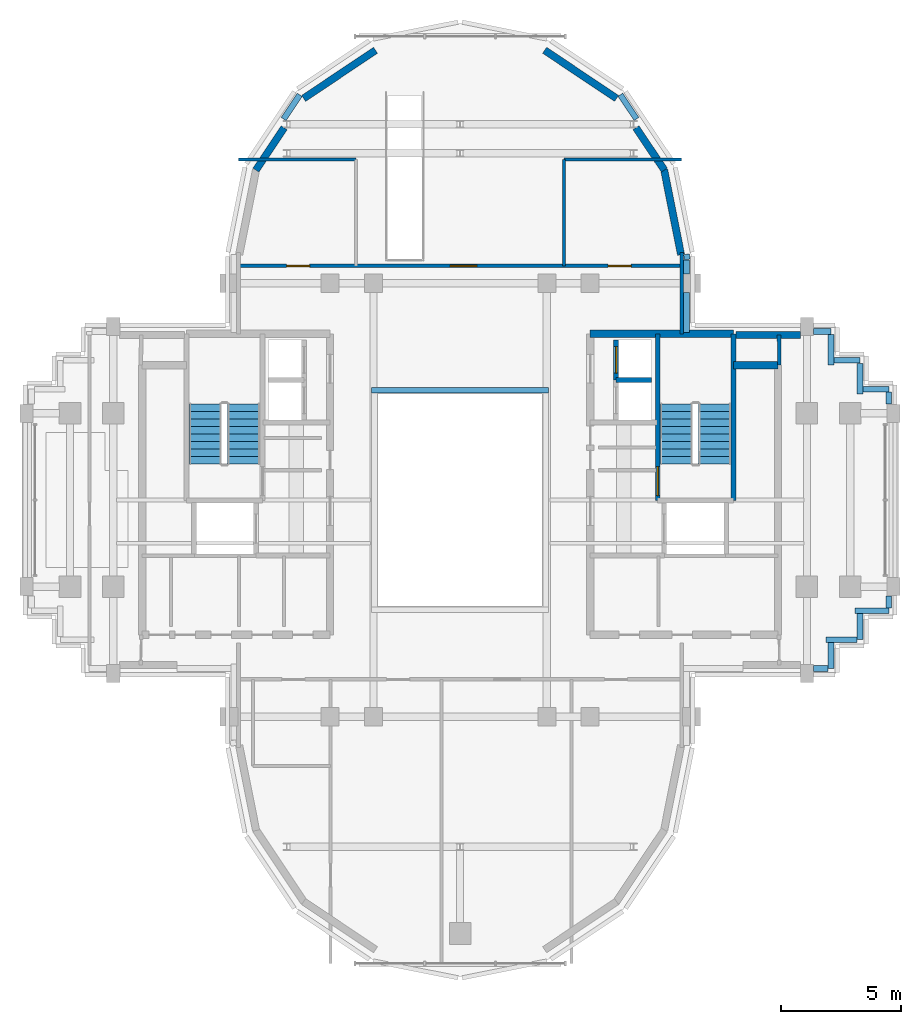
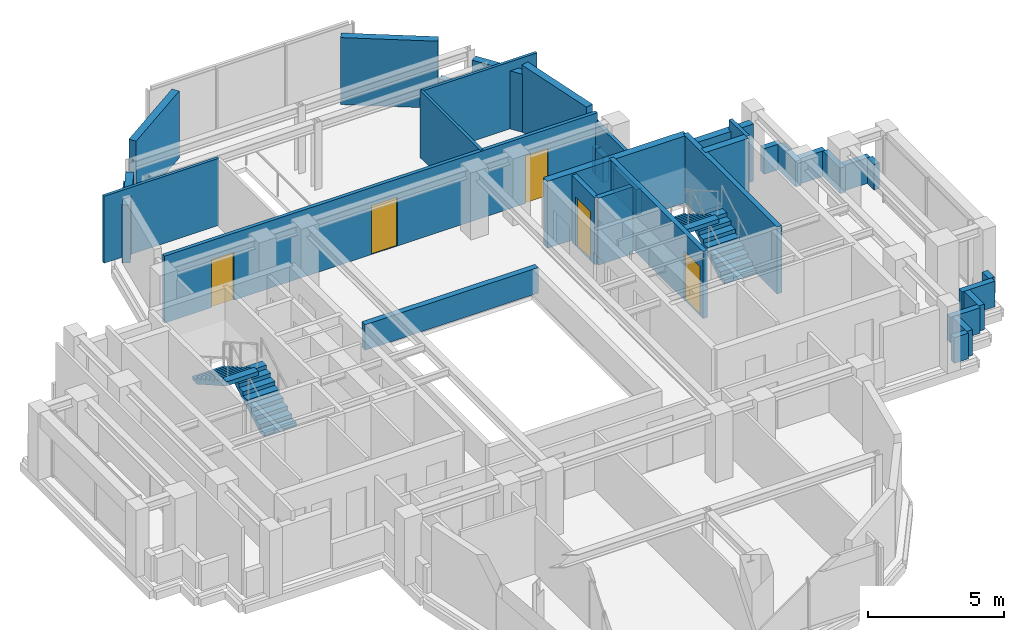
# One storey, part 10 of 12: 36 walls, 5 doors, 4 stair flights, 5 openings, 2 elements without a shape of their own.
"""IFC4 building model written with IfcOpenShell, lengths in metres."""

from ifc_helpers import new_model, si_unit, direction, frame, frame_2d, origin, place, context, subcontext, project, spatial, polyline, rectangle, outline, extrude, source, transform, mapped, material, layer, layer_set, type_object, element, fill, aggregate, save


model = new_model("IFC4")

# Units and contexts
model_context = context("Model", 3, precision=1e-05, world=origin(), true_north=direction((0.0, 1.0)))
body_context = subcontext(model_context, "Body", "Model", "MODEL_VIEW")
ifc_project = project(units=[si_unit("LENGTHUNIT", "METRE"), si_unit("AREAUNIT", "SQUARE_METRE"), si_unit("VOLUMEUNIT", "CUBIC_METRE"), si_unit("PLANEANGLEUNIT", "RADIAN"), si_unit("MASSUNIT", "GRAM", prefix="KILO")], contexts=[model_context])

# Site, building, storey
site_placement = place(None, origin())
site = spatial("IfcSite", under=ifc_project, at=site_placement, CompositionType="ELEMENT")
building_placement = place(site_placement, origin())
building = spatial("IfcBuilding", under=site, at=building_placement, Name="Keilestroom Media Tower", CompositionType="ELEMENT")
storey_placement = place(building_placement, frame((0.0, 0.0, 223.60009765625)))
storey = spatial("IfcBuildingStorey", under=building, at=storey_placement, Name="L61", CompositionType="ELEMENT", Elevation=223.60009765625)

# Walls
ifc_material_1 = material(Name="Precast concrete C40/50", Category="concrete")
ifc_layer_1 = layer(ifc_material_1, 0.300048828125)
ifc_layer_set_1 = layer_set([ifc_layer_1], Name="Precast concrete C40/50")
wall_type_1 = type_object("IfcWallType", Name="Exterior-Masonry-Spandrel-Wall-300", PredefinedType="SOLIDWALL", material=ifc_layer_set_1)
wall_1_placement = place(storey_placement, frame((11.447998046875, 6.85009765625, 0.0), z_axis=(0.0, 0.0, 1.0), x_axis=(1.0, 0.0, 0.0)))
element("IfcWall", 1, at=wall_1_placement, inside=storey, type_object=wall_type_1, Name="L61 Flank Masonry Wall EWL-L61-NE-1", PredefinedType="SOLIDWALL", context=body_context, shape_type="SweptSolid", body=[
    extrude(rectangle(XDim=2.68505859375, YDim=0.300048828125, at=frame_2d((1.342529296875, 0.0))), origin(), (0.0, 0.0, 1.0), 2.56982421875),
])
wall_2_placement = place(storey_placement, frame((9.1748046875, 10.185302734375, 0.0), z_axis=(0.0, 0.0, 1.0), x_axis=(-0.195114232679, 0.980780523974, 0.0)))
element("IfcWall", 2, at=wall_2_placement, inside=storey, type_object=wall_type_1, Name="L61 Lobe Facet Precast Frame Wall 01", PredefinedType="SOLIDWALL", context=body_context, shape_type="SweptSolid", body=[
    extrude(rectangle(XDim=3.608642578125, YDim=0.300048828125, at=frame_2d((1.80419921875, 0.0))), origin(), (0.0, 0.0, 1.0), 3.010009765625),
])
wall_3_placement = place(storey_placement, frame((8.48193359375, 13.697509765625, 0.0), z_axis=(0.0, 0.0, 1.0), x_axis=(-0.555604299396, 0.831446848868, 0.0)))
element("IfcWall", 3, at=wall_3_placement, inside=storey, type_object=wall_type_1, Name="L61 Lobe Facet Precast Frame Wall 02", PredefinedType="SOLIDWALL", context=body_context, shape_type="SweptSolid", body=[
    extrude(rectangle(XDim=2.117919921875, YDim=0.300048828125, at=frame_2d((1.05908203125, 0.0))), origin(), (0.0, 0.0, 1.0), 2.60986328125),
])
for number, where, z_axis, x_axis, name in (
    (4, (6.497802734375, 16.677001953125, 0.0), (0.0, 0.0, 1.0), (-0.831443568068, 0.555609208993, 0.0), "L61 Lobe Facet Precast Frame Wall 03"),
    (5, (-3.510009765625, 18.673583984375, 0.0), (0.0, 0.0, 1.0), (-0.831443568068, -0.555609208993, 0.0), "L61 Lobe Facet Precast Frame Wall 04"),
):
    element("IfcWall", number, at=place(storey_placement, frame(where, z_axis=z_axis, x_axis=x_axis)), inside=storey, type_object=wall_type_1, Name=name, PredefinedType="SOLIDWALL", context=body_context, shape_type="SweptSolid", body=[
        extrude(rectangle(XDim=3.593505859375, YDim=0.300048828125, at=frame_2d((1.796875, 0.0))), origin(), (0.0, 0.0, 1.0), 3.010009765625),
    ])
wall_4_placement = place(storey_placement, frame((-7.30517578125, 15.45849609375, 0.0), z_axis=(0.0, 0.0, 1.0), x_axis=(-0.555604299396, -0.831446848868, 0.0)))
element("IfcWall", 6, at=wall_4_placement, inside=storey, type_object=wall_type_1, Name="L61 Lobe Facet Precast Frame Wall 05", PredefinedType="SOLIDWALL", context=body_context, shape_type="SweptSolid", body=[
    extrude(rectangle(XDim=2.117919921875, YDim=0.300048828125, at=frame_2d((1.05908203125, 0.0))), origin(), (0.0, 0.0, 1.0), 2.60986328125),
])
ifc_material_2 = material(Name="Gypsum Plasterboard & Steel Stud", Category="steel")
ifc_layer_2 = layer(ifc_material_2, 0.1201171875)
ifc_layer_set_2 = layer_set([ifc_layer_2], Name="Gypsum Plasterboard & Steel Stud")
wall_type_2 = type_object("IfcWallType", Name="Interior-Partition-Wall-120", PredefinedType="PARTITIONING", material=ifc_layer_set_2)
for number, where, z_axis, x_axis, name in (
    (7, (-9.199951171875, 14.139892578125, 0.0), (0.0, 0.0, 1.0), (1.0, 0.0, 0.0), "L61 Interior Wall WP-L61-NL-HW"),
    (8, (4.320068359375, 14.139892578125, 0.0), (0.0, 0.0, 1.0), (1.0, 0.0, 0.0), "L61 Interior Wall WP-L61-NL-HE"),
):
    element("IfcWall", number, at=place(storey_placement, frame(where, z_axis=z_axis, x_axis=x_axis)), inside=storey, type_object=wall_type_2, Name=name, PredefinedType="PARTITIONING", context=body_context, shape_type="SweptSolid", body=[
        extrude(rectangle(XDim=4.8798828125, YDim=0.1201171875, at=frame_2d((2.43994140625, 0.0))), origin(), (0.0, 0.0, 1.0), 3.010009765625),
    ])
wall_5_placement = place(storey_placement, frame((4.320068359375, 9.719970703125, 0.0), z_axis=(0.0, 0.0, 1.0), x_axis=(0.0, 1.0, 0.0)))
element("IfcWall", 9, at=wall_5_placement, inside=storey, type_object=wall_type_2, Name="L61 Interior Wall WP-L61-NL-VE2", PredefinedType="PARTITIONING", context=body_context, shape_type="SweptSolid", body=[
    extrude(rectangle(XDim=4.419921875, YDim=0.1201171875, at=frame_2d((2.2099609375, 0.0))), origin(), (0.0, 0.0, 1.0), 3.010009765625),
])

# Wall, openings, doors
ifc_layer_3 = layer(ifc_material_2, 0.14990234375)
ifc_layer_set_3 = layer_set([ifc_layer_3], Name="Gypsum Plasterboard & Steel Stud")
wall_type_3 = type_object("IfcWallType", Name="Interior-Partition-Wall-150", PredefinedType="PARTITIONING", material=ifc_layer_set_3)
wall_6_placement = place(storey_placement, frame((-9.199951171875, 9.719970703125, 0.0), z_axis=(0.0, 0.0, 1.0), x_axis=(1.0, 0.0, 0.0)))
wall_6 = element("IfcWall", 10, at=wall_6_placement, inside=storey, type_object=wall_type_3, Name="L61 Interior Wall WP-L61-NL-BASE", PredefinedType="PARTITIONING", context=body_context, shape_type="SweptSolid", body=[
    extrude(rectangle(XDim=18.39990234375, YDim=0.14990234375, at=frame_2d((9.199951171875, 0.0))), origin(), (0.0, 0.0, 1.0), 3.010009765625),
])
opening_1_placement = place(wall_6_placement, frame((2.0, 0.0, 0.0)))
opening_1 = element("IfcOpeningElement", 11, at=opening_1_placement, cuts=wall_6, Name="Opening DI-03", PredefinedType="OPENING", context=body_context, shape_type="SweptSolid", body=[
    extrude(rectangle(XDim=0.949951171875, YDim=2.14990234375, at=frame_2d((0.47509765625, 1.074951171875))), frame((0.0, 0.0849609375, 0.0), z_axis=(0.0, -1.0, 0.0), x_axis=(1.0, 0.0, 0.0)), (0.0, 0.0, 1.0), 0.169921875),
])
opening_2_placement = place(wall_6_placement, frame((15.35009765625, 0.0, 0.0)))
opening_2 = element("IfcOpeningElement", 12, at=opening_2_placement, cuts=wall_6, Name="Opening DI-03", PredefinedType="OPENING", context=body_context, shape_type="SweptSolid", body=[
    extrude(rectangle(XDim=0.949951171875, YDim=2.14990234375, at=frame_2d((0.47509765625, 1.074951171875))), frame((0.0, 0.0849609375, 0.0), z_axis=(0.0, -1.0, 0.0), x_axis=(1.0, 0.0, 0.0)), (0.0, 0.0, 1.0), 0.169921875),
])
opening_3_placement = place(wall_6_placement, frame((8.800048828125, 0.0, 0.0)))
opening_3 = element("IfcOpeningElement", 13, at=opening_3_placement, cuts=wall_6, Name="Opening DI-04", PredefinedType="OPENING", context=body_context, shape_type="SweptSolid", body=[
    extrude(rectangle(XDim=1.10009765625, YDim=2.199951171875, at=frame_2d((0.550048828125, 1.10009765625))), frame((0.0, 0.0849609375, 0.0), z_axis=(0.0, -1.0, 0.0), x_axis=(1.0, 0.0, 0.0)), (0.0, 0.0, 1.0), 0.169921875),
])
ifc_material_3 = material(Name="Lacquered European Oak Leaf", Category="wood")
door_type_1 = type_object("IfcDoorType", Name="Interior-Room-And-Suite-Door-DI-03", OperationType="NOTDEFINED", PredefinedType="DOOR", material=ifc_material_3)
shared_shape_1 = source(origin(), body_context, "Body", "SweptSolid", [
    extrude(rectangle(XDim=0.949951171875, YDim=2.14990234375, at=frame_2d((0.47509765625, 1.074951171875))), frame((0.0, 0.02490234375, 0.0), z_axis=(0.0, -1.0, 0.0), x_axis=(1.0, 0.0, 0.0)), (0.0, 0.0, 1.0), 0.050048828125),
])
door_1_placement = place(opening_1_placement, origin())
door_1 = element("IfcDoor", 14, at=door_1_placement, inside=storey, type_object=door_type_1, Name="L61 Interior Door DI-L61-DNL-FRW", OperationType="SINGLE_SWING_RIGHT", OverallHeight=2.14990234375, OverallWidth=0.949951171875, PredefinedType="DOOR", context=body_context, shape_type="MappedRepresentation", body=[
    mapped(shared_shape_1, transform((0.0, 0.0, 0.0), x_axis=(1.0, 0.0, 0.0), y_axis=(0.0, 1.0, 0.0), z_axis=(0.0, 0.0, 1.0), scale=1.0)),
])
fill(opening_1, door_1)
door_2_placement = place(opening_2_placement, origin())
door_2 = element("IfcDoor", 15, at=door_2_placement, inside=storey, type_object=door_type_1, Name="L61 Interior Door DI-L61-DNL-FRE", OperationType="SINGLE_SWING_LEFT", OverallHeight=2.14990234375, OverallWidth=0.949951171875, PredefinedType="DOOR", context=body_context, shape_type="MappedRepresentation", body=[
    mapped(shared_shape_1, transform((0.0, 0.0, 0.0), x_axis=(1.0, 0.0, 0.0), y_axis=(0.0, 1.0, 0.0), z_axis=(0.0, 0.0, 1.0), scale=1.0)),
])
fill(opening_2, door_2)
ifc_material_4 = material(Name="Acoustic Glazed Aluminium Leaf", Category="aluminium")
door_type_2 = type_object("IfcDoorType", Name="Interior-Room-And-Suite-Door-DI-04", OperationType="NOTDEFINED", PredefinedType="DOOR", material=ifc_material_4)
shared_shape_2 = source(origin(), body_context, "Body", "SweptSolid", [
    extrude(rectangle(XDim=1.10009765625, YDim=2.199951171875, at=frame_2d((0.550048828125, 1.10009765625))), frame((0.0, 0.02490234375, 0.0), z_axis=(0.0, -1.0, 0.0), x_axis=(1.0, 0.0, 0.0)), (0.0, 0.0, 1.0), 0.050048828125),
])
door_3_placement = place(opening_3_placement, origin())
door_3 = element("IfcDoor", 16, at=door_3_placement, inside=storey, type_object=door_type_2, Name="L61 Interior Door DI-L61-DNL-REAR", OperationType="SINGLE_SWING_RIGHT", OverallHeight=2.199951171875, OverallWidth=1.10009765625, PredefinedType="DOOR", context=body_context, shape_type="MappedRepresentation", body=[
    mapped(shared_shape_2, transform((0.0, 0.0, 0.0), x_axis=(1.0, 0.0, 0.0), y_axis=(0.0, 1.0, 0.0), z_axis=(0.0, 0.0, 1.0), scale=1.0)),
])
fill(opening_3, door_3)

# Walls
wall_7_placement = place(storey_placement, frame((9.199951171875, 6.89990234375, 0.0), z_axis=(0.0, 0.0, 1.0), x_axis=(0.0, 1.0, 0.0)))
element("IfcWall", 17, at=wall_7_placement, inside=storey, type_object=wall_type_3, Name="L61 Interior Wall WP-L61-NL-CHKE", PredefinedType="PARTITIONING", context=body_context, shape_type="SweptSolid", body=[
    extrude(rectangle(XDim=3.380126953125, YDim=0.14990234375, at=frame_2d((1.68994140625, 0.0))), origin(), (0.0, 0.0, 1.0), 2.60986328125),
])
wall_8_placement = place(storey_placement, frame((13.260009765625, 5.60009765625, 0.0), z_axis=(0.0, 0.0, 1.0), x_axis=(-0.016013571389, 0.999871774545, 0.0)))
element("IfcWall", 18, at=wall_8_placement, inside=storey, type_object=wall_type_3, Name="L61 Interior Wall WP-L61-EA-ENTN", PredefinedType="PARTITIONING", context=body_context, shape_type="SweptSolid", body=[
    extrude(rectangle(XDim=1.250244140625, YDim=0.14990234375, at=frame_2d((0.625, 0.0))), origin(), (0.0, 0.0, 1.0), 3.010009765625),
])
ifc_material_5 = material(Name="Concrete C50/60", Category="concrete")
ifc_layer_4 = layer(ifc_material_5, 0.300048828125)
ifc_layer_set_4 = layer_set([ifc_layer_4], Name="Concrete C50/60")
wall_type_4 = type_object("IfcWallType", Name="Reinforced-Concrete-Core-Shear-Wall-300", PredefinedType="SHEAR", material=ifc_layer_set_4)
wall_9_placement = place(storey_placement, frame((5.39990234375, 6.89990234375, 0.0), z_axis=(0.0, 0.0, 1.0), x_axis=(1.0, 0.0, 0.0)))
element("IfcWall", 19, at=wall_9_placement, inside=storey, type_object=wall_type_4, Name="L61 Core Shear Wall WL-L61-CORE-E-N", PredefinedType="SHEAR", context=body_context, shape_type="SweptSolid", body=[
    extrude(rectangle(XDim=5.9560546875, YDim=0.300048828125, at=frame_2d((2.97802734375, 0.0))), origin(), (0.0, 0.0, 1.0), 3.010009765625),
])
wall_10_placement = place(storey_placement, frame((11.35595703125, 5.60009765625, 0.0), z_axis=(0.0, 0.0, 1.0), x_axis=(1.0, 0.0, 0.0)))
element("IfcWall", 20, at=wall_10_placement, inside=storey, type_object=wall_type_4, Name="L61 Core Shear Wall WL-L61-CNE-N", PredefinedType="SHEAR", context=body_context, shape_type="SweptSolid", body=[
    extrude(rectangle(XDim=1.843994140625, YDim=0.300048828125, at=frame_2d((0.921875, 0.0))), origin(), (0.0, 0.0, 1.0), 3.010009765625),
])

# Wall, opening, door
ifc_layer_5 = layer(ifc_material_5, 0.199951171875)
ifc_layer_set_5 = layer_set([ifc_layer_5], Name="Concrete C50/60")
wall_type_5 = type_object("IfcWallType", Name="Reinforced-Concrete-Shaft-Wall-200", PredefinedType="SOLIDWALL", material=ifc_layer_set_5)
wall_11_placement = place(storey_placement, frame((8.2041015625, -0.01611328125, 0.0), z_axis=(0.0, 0.0, 1.0), x_axis=(0.0, 1.0, 0.0)))
wall_11 = element("IfcWall", 21, at=wall_11_placement, inside=storey, type_object=wall_type_5, Name="L61 Core Shear Wall WL-L61-STW-E-NEAR", PredefinedType="SOLIDWALL", context=body_context, shape_type="SweptSolid", body=[
    extrude(rectangle(XDim=6.916015625, YDim=0.199951171875, at=frame_2d((3.4580078125, 0.0))), origin(), (0.0, 0.0, 1.0), 3.010009765625),
])
opening_4_placement = place(wall_11_placement, frame((0.199951171875, 0.0, 0.0)))
opening_4 = element("IfcOpeningElement", 22, at=opening_4_placement, cuts=wall_11, Name="Opening DI-01S", PredefinedType="OPENING", context=body_context, shape_type="SweptSolid", body=[
    extrude(rectangle(XDim=1.199951171875, YDim=2.199951171875, at=frame_2d((0.60009765625, 1.10009765625))), frame((0.0, 0.10986328125, 0.0), z_axis=(0.0, -1.0, 0.0), x_axis=(1.0, 0.0, 0.0)), (0.0, 0.0, 1.0), 0.219970703125),
])
ifc_material_6 = material(Name="Powder-Coated Steel Fire Leaf", Category="steel")
door_type_3 = type_object("IfcDoorType", Name="Interior-Stair-And-Core-Fire-Door-DI-01", OperationType="NOTDEFINED", PredefinedType="DOOR", material=ifc_material_6)
shared_shape_3 = source(origin(), body_context, "Body", "SweptSolid", [
    extrude(rectangle(XDim=1.199951171875, YDim=2.199951171875, at=frame_2d((0.60009765625, 1.10009765625))), frame((0.0, 0.02490234375, 0.0), z_axis=(0.0, -1.0, 0.0), x_axis=(1.0, 0.0, 0.0)), (0.0, 0.0, 1.0), 0.050048828125),
])
door_4_placement = place(opening_4_placement, origin())
door_4 = element("IfcDoor", 23, at=door_4_placement, inside=storey, type_object=door_type_3, Name="L61 Escape Stair ST-2 Fire Door", OperationType="SINGLE_SWING_RIGHT", OverallHeight=2.199951171875, OverallWidth=1.199951171875, PredefinedType="DOOR", context=body_context, shape_type="MappedRepresentation", body=[
    mapped(shared_shape_3, transform((0.0, 0.0, 0.0), x_axis=(1.0, 0.0, 0.0), y_axis=(0.0, 1.0, 0.0), z_axis=(0.0, 0.0, 1.0), scale=1.0)),
])
fill(opening_4, door_4)

# Walls
wall_12_placement = place(storey_placement, frame((11.35595703125, -0.01611328125, 0.0), z_axis=(0.0, 0.0, 1.0), x_axis=(0.0, 1.0, 0.0)))
element("IfcWall", 24, at=wall_12_placement, inside=storey, type_object=wall_type_5, Name="L61 Core Shear Wall WL-L61-STW-E-FAR", PredefinedType="SOLIDWALL", context=body_context, shape_type="SweptSolid", body=[
    extrude(rectangle(XDim=6.916015625, YDim=0.199951171875, at=frame_2d((3.4580078125, 0.0))), origin(), (0.0, 0.0, 1.0), 3.010009765625),
])
wall_13_placement = place(storey_placement, frame((6.47998046875, 4.97998046875, 0.0), z_axis=(0.0, 0.0, 1.0), x_axis=(1.0, 0.0, 0.0)))
element("IfcWall", 25, at=wall_13_placement, inside=storey, type_object=wall_type_5, Name="L61 Core Shear Wall WL-L61-LSH-PL-H3-N", PredefinedType="SOLIDWALL", context=body_context, shape_type="SweptSolid", body=[
    extrude(rectangle(XDim=1.469970703125, YDim=0.199951171875, at=frame_2d((0.73486328125, 0.0))), origin(), (0.0, 0.0, 1.0), 3.010009765625),
])

# Wall, opening, door
wall_14_placement = place(storey_placement, frame((6.47998046875, 4.97998046875, 0.0), z_axis=(0.0, 0.0, 1.0), x_axis=(0.0, 1.0, 0.0)))
wall_14 = element("IfcWall", 26, at=wall_14_placement, inside=storey, type_object=wall_type_5, Name="L61 Core Shear Wall WL-L61-LSH-PL-H4-W", PredefinedType="SOLIDWALL", context=body_context, shape_type="SweptSolid", body=[
    extrude(rectangle(XDim=1.669921875, YDim=0.199951171875, at=frame_2d((0.8349609375, 0.0))), origin(), (0.0, 0.0, 1.0), 3.010009765625),
])
opening_5_placement = place(wall_14_placement, frame((0.284912109375, 0.0, 0.0)))
opening_5 = element("IfcOpeningElement", 27, at=opening_5_placement, cuts=wall_14, Name="Opening LD-01", PredefinedType="OPENING", context=body_context, shape_type="SweptSolid", body=[
    extrude(rectangle(XDim=1.10009765625, YDim=2.199951171875, at=frame_2d((0.550048828125, 1.10009765625))), frame((0.0, 0.10986328125, 0.0), z_axis=(0.0, -1.0, 0.0), x_axis=(1.0, 0.0, 0.0)), (0.0, 0.0, 1.0), 0.219970703125),
])
ifc_material_7 = material(Name="Brushed Stainless Steel Sliding Leaf", Category="steel")
door_type_4 = type_object("IfcDoorType", Name="Lift-Landing-Sliding-Door-LD-01", OperationType="SLIDING_TO_LEFT", PredefinedType="DOOR", material=ifc_material_7)
door_5_placement = place(opening_5_placement, origin())
door_5 = element("IfcDoor", 28, at=door_5_placement, inside=storey, type_object=door_type_4, Name="L61 Lift PL-H4 Landing Sliding Door", OperationType="SLIDING_TO_LEFT", OverallHeight=2.199951171875, OverallWidth=1.10009765625, PredefinedType="DOOR", context=body_context, shape_type="MappedRepresentation", body=[
    mapped(shared_shape_2, transform((0.0, 0.0, 0.0), x_axis=(1.0, 0.0, 0.0), y_axis=(0.0, 1.0, 0.0), z_axis=(0.0, 0.0, 1.0), scale=1.0)),
])
fill(opening_5, door_5)

# Walls
ifc_layer_6 = layer(ifc_material_1, 0.239990234375)
ifc_layer_set_6 = layer_set([ifc_layer_6], Name="Precast concrete C40/50")
wall_type_6 = type_object("IfcWallType", Name="Roof-And-Terrace-Parapet-Wall-240", PredefinedType="PARAPET", material=ifc_layer_set_6)
wall_15_placement = place(storey_placement, frame((17.800048828125, -4.60009765625, 0.0), z_axis=(0.0, 0.0, 1.0), x_axis=(-1.0, 0.0, 0.0)))
element("IfcWall", 29, at=wall_15_placement, inside=storey, type_object=wall_type_6, Name="L61 Perimeter Edge Parapet Wall 01", PredefinedType="PARAPET", context=body_context, shape_type="SweptSolid", body=[
    extrude(rectangle(XDim=1.400146484375, YDim=0.239990234375, at=frame_2d((0.7001953125, 0.0))), origin(), (0.0, 0.0, 1.0), 1.14990234375),
])
wall_16_placement = place(storey_placement, frame((16.60009765625, -4.722900390625, 0.0), z_axis=(0.0, 0.0, 1.0), x_axis=(0.0, -1.0, 0.0)))
element("IfcWall", 30, at=wall_16_placement, inside=storey, type_object=wall_type_6, Name="L61 Perimeter Edge Parapet Wall 02", PredefinedType="PARAPET", context=body_context, shape_type="SweptSolid", body=[
    extrude(rectangle(XDim=1.0771484375, YDim=0.239990234375, at=frame_2d((0.53857421875, 0.0))), origin(), (0.0, 0.0, 1.0), 1.14990234375),
])
wall_17_placement = place(storey_placement, frame((16.47705078125, -5.800048828125, 0.0), z_axis=(0.0, 0.0, 1.0), x_axis=(-1.0, 0.0, 0.0)))
element("IfcWall", 31, at=wall_17_placement, inside=storey, type_object=wall_type_6, Name="L61 Perimeter Edge Parapet Wall 03", PredefinedType="PARAPET", context=body_context, shape_type="SweptSolid", body=[
    extrude(rectangle(XDim=1.277099609375, YDim=0.239990234375, at=frame_2d((0.638671875, 0.0))), origin(), (0.0, 0.0, 1.0), 1.14990234375),
])
wall_18_placement = place(storey_placement, frame((15.39990234375, -5.923095703125, 0.0), z_axis=(0.0, 0.0, 1.0), x_axis=(0.0, -1.0, 0.0)))
element("IfcWall", 32, at=wall_18_placement, inside=storey, type_object=wall_type_6, Name="L61 Perimeter Edge Parapet Wall 04", PredefinedType="PARAPET", context=body_context, shape_type="SweptSolid", body=[
    extrude(rectangle(XDim=1.076904296875, YDim=0.239990234375, at=frame_2d((0.53857421875, 0.0))), origin(), (0.0, 0.0, 1.0), 1.14990234375),
])
wall_19_placement = place(storey_placement, frame((15.277099609375, -7.0, 0.0), z_axis=(0.0, 0.0, 1.0), x_axis=(-1.0, 0.0, 0.0)))
element("IfcWall", 33, at=wall_19_placement, inside=storey, type_object=wall_type_6, Name="L61 Perimeter Edge Parapet Wall 05", PredefinedType="PARAPET", context=body_context, shape_type="SweptSolid", body=[
    extrude(rectangle(XDim=0.59912109375, YDim=0.239990234375, at=frame_2d((0.299560546875, 0.0))), origin(), (0.0, 0.0, 1.0), 1.14990234375),
])
for number, where, z_axis, x_axis, name in (
    (34, (-7.328125, 15.8203125, 0.0), (0.0, 0.0, 1.0), (0.555585388542, 0.831459485506, 0.0), "L61 Perimeter Edge Parapet Wall 28"),
    (35, (6.656494140625, 16.825439453125, 0.0), (0.0, 0.0, 1.0), (0.555585388542, -0.831459485506, 0.0), "L61 Perimeter Edge Parapet Wall 29"),
):
    element("IfcWall", number, at=place(storey_placement, frame(where, z_axis=z_axis, x_axis=x_axis)), inside=storey, type_object=wall_type_6, Name=name, PredefinedType="PARAPET", context=body_context, shape_type="SweptSolid", body=[
        extrude(rectangle(XDim=1.208984375, YDim=0.239990234375, at=frame_2d((0.6044921875, 0.0))), origin(), (0.0, 0.0, 1.0), 1.14990234375),
    ])
wall_20_placement = place(storey_placement, frame((9.395263671875, 10.2041015625, 0.0), z_axis=(0.0, 0.0, 1.0), x_axis=(0.194859894132, -0.980831087221, 0.0)))
element("IfcWall", 36, at=wall_20_placement, inside=storey, type_object=wall_type_6, Name="L61 Perimeter Edge Parapet Wall 30", PredefinedType="PARAPET", context=body_context, shape_type="SweptSolid", body=[
    extrude(rectangle(XDim=0.224365234375, YDim=0.239990234375, at=frame_2d((0.1123046875, 0.0))), origin(), (0.0, 0.0, 1.0), 1.14990234375),
])
wall_21_placement = place(storey_placement, frame((9.39990234375, 9.957763671875, 0.0), z_axis=(0.0, 0.0, 1.0), x_axis=(0.0, -1.0, 0.0)))
element("IfcWall", 37, at=wall_21_placement, inside=storey, type_object=wall_type_6, Name="L61 Perimeter Edge Parapet Wall 31", PredefinedType="PARAPET", context=body_context, shape_type="SweptSolid", body=[
    extrude(rectangle(XDim=0.579833984375, YDim=0.239990234375, at=frame_2d((0.2900390625, 0.0))), origin(), (0.0, 0.0, 1.0), 1.14990234375),
])
wall_22_placement = place(storey_placement, frame((9.39990234375, 8.6220703125, 0.0), z_axis=(0.0, 0.0, 1.0), x_axis=(0.0, -1.0, 0.0)))
element("IfcWall", 38, at=wall_22_placement, inside=storey, type_object=wall_type_6, Name="L61 Perimeter Edge Parapet Wall 32", PredefinedType="PARAPET", context=body_context, shape_type="SweptSolid", body=[
    extrude(rectangle(XDim=1.669189453125, YDim=0.239990234375, at=frame_2d((0.83447265625, 0.0))), origin(), (0.0, 0.0, 1.0), 1.14990234375),
])
wall_23_placement = place(storey_placement, frame((14.677978515625, 7.0, 0.0), z_axis=(0.0, 0.0, 1.0), x_axis=(1.0, 0.0, 0.0)))
element("IfcWall", 39, at=wall_23_placement, inside=storey, type_object=wall_type_6, Name="L61 Perimeter Edge Parapet Wall 33", PredefinedType="PARAPET", context=body_context, shape_type="SweptSolid", body=[
    extrude(rectangle(XDim=0.721923828125, YDim=0.239990234375, at=frame_2d((0.36083984375, 0.0))), origin(), (0.0, 0.0, 1.0), 1.14990234375),
])
wall_24_placement = place(storey_placement, frame((15.39990234375, 6.876953125, 0.0), z_axis=(0.0, 0.0, 1.0), x_axis=(0.0, -1.0, 0.0)))
element("IfcWall", 40, at=wall_24_placement, inside=storey, type_object=wall_type_6, Name="L61 Perimeter Edge Parapet Wall 34", PredefinedType="PARAPET", context=body_context, shape_type="SweptSolid", body=[
    extrude(rectangle(XDim=1.27685546875, YDim=0.239990234375, at=frame_2d((0.638427734375, 0.0))), origin(), (0.0, 0.0, 1.0), 1.14990234375),
])
wall_25_placement = place(storey_placement, frame((15.52294921875, 5.800048828125, 0.0), z_axis=(0.0, 0.0, 1.0), x_axis=(1.0, 0.0, 0.0)))
element("IfcWall", 41, at=wall_25_placement, inside=storey, type_object=wall_type_6, Name="L61 Perimeter Edge Parapet Wall 35", PredefinedType="PARAPET", context=body_context, shape_type="SweptSolid", body=[
    extrude(rectangle(XDim=1.0771484375, YDim=0.239990234375, at=frame_2d((0.53857421875, 0.0))), origin(), (0.0, 0.0, 1.0), 1.14990234375),
])
wall_26_placement = place(storey_placement, frame((16.60009765625, 5.677001953125, 0.0), z_axis=(0.0, 0.0, 1.0), x_axis=(0.0, -1.0, 0.0)))
element("IfcWall", 42, at=wall_26_placement, inside=storey, type_object=wall_type_6, Name="L61 Perimeter Edge Parapet Wall 36", PredefinedType="PARAPET", context=body_context, shape_type="SweptSolid", body=[
    extrude(rectangle(XDim=1.277099609375, YDim=0.239990234375, at=frame_2d((0.638671875, 0.0))), origin(), (0.0, 0.0, 1.0), 1.14990234375),
])
wall_27_placement = place(storey_placement, frame((16.722900390625, 4.60009765625, 0.0), z_axis=(0.0, 0.0, 1.0), x_axis=(1.0, 0.0, 0.0)))
element("IfcWall", 43, at=wall_27_placement, inside=storey, type_object=wall_type_6, Name="L61 Perimeter Edge Parapet Wall 37", PredefinedType="PARAPET", context=body_context, shape_type="SweptSolid", body=[
    extrude(rectangle(XDim=1.0771484375, YDim=0.239990234375, at=frame_2d((0.53857421875, 0.0))), origin(), (0.0, 0.0, 1.0), 1.14990234375),
])
for number, where, z_axis, x_axis, name in (
    (44, (17.800048828125, 4.47705078125, 0.0), (0.0, 0.0, 1.0), (0.0, -1.0, 0.0), "L61 Perimeter Edge Parapet Wall 38"),
    (45, (17.800048828125, -3.97802734375, 0.0), (0.0, 0.0, 1.0), (0.0, -1.0, 0.0), "L61 Perimeter Edge Parapet Wall 39"),
):
    element("IfcWall", number, at=place(storey_placement, frame(where, z_axis=z_axis, x_axis=x_axis)), inside=storey, type_object=wall_type_6, Name=name, PredefinedType="PARAPET", context=body_context, shape_type="SweptSolid", body=[
        extrude(rectangle(XDim=0.4990234375, YDim=0.239990234375, at=frame_2d((0.24951171875, 0.0))), origin(), (0.0, 0.0, 1.0), 1.14990234375),
    ])
wall_28_placement = place(storey_placement, frame((-3.679931640625, 4.56005859375, 0.0), z_axis=(0.0, 0.0, 1.0), x_axis=(1.0, 0.0, 0.0)))
element("IfcWall", 46, at=wall_28_placement, inside=storey, type_object=wall_type_6, Name="L61 Central Atrium Guard Parapet N", PredefinedType="PARAPET", context=body_context, shape_type="SweptSolid", body=[
    extrude(rectangle(XDim=7.35986328125, YDim=0.239990234375, at=frame_2d((3.679931640625, 0.0))), origin(), (0.0, 0.0, 1.0), 1.14990234375),
])

# Stair, stair flights
ifc_material_8 = material(Name="Concrete C45/55", Category="concrete")
stair_type = type_object("IfcStairType", Name="Enclosed-Dog-Leg-Stair-ST-CORE", PredefinedType="HALF_TURN_STAIR", material=ifc_material_8)
stair_1_placement = place(storey_placement, origin())
stair_1 = element("IfcStair", 47, at=stair_1_placement, inside=storey, type_object=stair_type, Name="L61 West Core Escape Stair ST-1", PredefinedType="HALF_TURN_STAIR")
stair_flight_type = type_object("IfcStairFlightType", Name="Precast-Concrete-Stair-Flight-Core-160", PredefinedType="STRAIGHT", material=ifc_material_1)
stair_flight_1_placement = place(storey_placement, frame((-8.97998046875, 1.5, 0.0), z_axis=(0.0, 0.0, 1.0), x_axis=(0.0, 1.0, 0.0)))
stair_flight_1 = element("IfcStairFlight", 48, at=stair_flight_1_placement, type_object=stair_flight_type, Name="ST-1 flight 1", NumberOfRisers=9, NumberOfTreads=8, PredefinedType="STRAIGHT", RiserHeight=0.177777778, TreadLength=0.312, context=body_context, shape_type="SweptSolid", body=[
    extrude(outline(polyline([(0.0, 0.0), (0.0, 0.177734375), (0.31201171875, 0.177734375), (0.31201171875, 0.35546875), (0.6240234375, 0.35546875), (0.6240234375, 0.533447265625), (0.93603515625, 0.533447265625), (0.93603515625, 0.711181640625), (1.248046875, 0.711181640625), (1.248046875, 0.888916015625), (1.56005859375, 0.888916015625), (1.56005859375, 1.066650390625), (1.8720703125, 1.066650390625), (1.8720703125, 1.244384765625), (2.18408203125, 1.244384765625), (2.18408203125, 1.422119140625), (2.49609375, 1.422119140625), (2.49609375, 1.60009765625), (2.49609375, 1.23828125), (0.322998046875, 0.0), (0.0, 0.0)])), frame((0.0, 0.68017578125, 0.0), z_axis=(0.0, -1.0, 0.0), x_axis=(1.0, 0.0, 0.0)), (0.0, 0.0, 1.0), 1.360107421875),
])
stair_flight_2_placement = place(storey_placement, frame((-10.580078125, 3.99609375, 1.599853515625), z_axis=(0.0, 0.0, 1.0), x_axis=(0.0, -1.0, 0.0)))
stair_flight_2 = element("IfcStairFlight", 49, at=stair_flight_2_placement, type_object=stair_flight_type, Name="ST-1 flight 2", NumberOfRisers=9, NumberOfTreads=8, PredefinedType="STRAIGHT", RiserHeight=0.177777778, TreadLength=0.312, context=body_context, shape_type="SweptSolid", body=[
    extrude(outline(polyline([(0.0, 0.0), (0.0, 0.177734375), (0.31201171875, 0.177734375), (0.31201171875, 0.35546875), (0.6240234375, 0.35546875), (0.6240234375, 0.533447265625), (0.93603515625, 0.533447265625), (0.93603515625, 0.711181640625), (1.248046875, 0.711181640625), (1.248046875, 0.888916015625), (1.56005859375, 0.888916015625), (1.56005859375, 1.066650390625), (1.8720703125, 1.066650390625), (1.8720703125, 1.244384765625), (2.18408203125, 1.244384765625), (2.18408203125, 1.422119140625), (2.49609375, 1.422119140625), (2.49609375, 1.60009765625), (2.49609375, 1.23828125), (0.322998046875, 0.0), (0.0, 0.0)])), frame((0.0, 0.68017578125, 0.0), z_axis=(0.0, -1.0, 0.0), x_axis=(1.0, 0.0, 0.0)), (0.0, 0.0, 1.0), 1.360107421875),
])
aggregate(stair_1, [stair_flight_1, stair_flight_2])

stair_2_placement = place(storey_placement, origin())
stair_2 = element("IfcStair", 50, at=stair_2_placement, inside=storey, type_object=stair_type, Name="L61 East Core Escape Stair ST-2", PredefinedType="HALF_TURN_STAIR")
stair_flight_3_placement = place(storey_placement, frame((10.580078125, 1.5, 0.0), z_axis=(0.0, 0.0, 1.0), x_axis=(0.0, 1.0, 0.0)))
stair_flight_3 = element("IfcStairFlight", 51, at=stair_flight_3_placement, type_object=stair_flight_type, Name="ST-2 flight 1", NumberOfRisers=9, NumberOfTreads=8, PredefinedType="STRAIGHT", RiserHeight=0.177777778, TreadLength=0.312, context=body_context, shape_type="SweptSolid", body=[
    extrude(outline(polyline([(0.0, 0.0), (0.0, 0.177734375), (0.31201171875, 0.177734375), (0.31201171875, 0.35546875), (0.6240234375, 0.35546875), (0.6240234375, 0.533447265625), (0.93603515625, 0.533447265625), (0.93603515625, 0.711181640625), (1.248046875, 0.711181640625), (1.248046875, 0.888916015625), (1.56005859375, 0.888916015625), (1.56005859375, 1.066650390625), (1.8720703125, 1.066650390625), (1.8720703125, 1.244384765625), (2.18408203125, 1.244384765625), (2.18408203125, 1.422119140625), (2.49609375, 1.422119140625), (2.49609375, 1.60009765625), (2.49609375, 1.23828125), (0.322998046875, 0.0), (0.0, 0.0)])), frame((0.0, 0.68017578125, 0.0), z_axis=(0.0, -1.0, 0.0), x_axis=(1.0, 0.0, 0.0)), (0.0, 0.0, 1.0), 1.360107421875),
])
stair_flight_4_placement = place(storey_placement, frame((8.97998046875, 3.99609375, 1.599853515625), z_axis=(0.0, 0.0, 1.0), x_axis=(0.0, -1.0, 0.0)))
stair_flight_4 = element("IfcStairFlight", 52, at=stair_flight_4_placement, type_object=stair_flight_type, Name="ST-2 flight 2", NumberOfRisers=9, NumberOfTreads=8, PredefinedType="STRAIGHT", RiserHeight=0.177777778, TreadLength=0.312, context=body_context, shape_type="SweptSolid", body=[
    extrude(outline(polyline([(0.0, 0.0), (0.0, 0.177734375), (0.31201171875, 0.177734375), (0.31201171875, 0.35546875), (0.6240234375, 0.35546875), (0.6240234375, 0.533447265625), (0.93603515625, 0.533447265625), (0.93603515625, 0.711181640625), (1.248046875, 0.711181640625), (1.248046875, 0.888916015625), (1.56005859375, 0.888916015625), (1.56005859375, 1.066650390625), (1.8720703125, 1.066650390625), (1.8720703125, 1.244384765625), (2.18408203125, 1.244384765625), (2.18408203125, 1.422119140625), (2.49609375, 1.422119140625), (2.49609375, 1.60009765625), (2.49609375, 1.23828125), (0.322998046875, 0.0), (0.0, 0.0)])), frame((0.0, 0.68017578125, 0.0), z_axis=(0.0, -1.0, 0.0), x_axis=(1.0, 0.0, 0.0)), (0.0, 0.0, 1.0), 1.360107421875),
])
aggregate(stair_2, [stair_flight_3, stair_flight_4])

save(model, "model.ifc")
